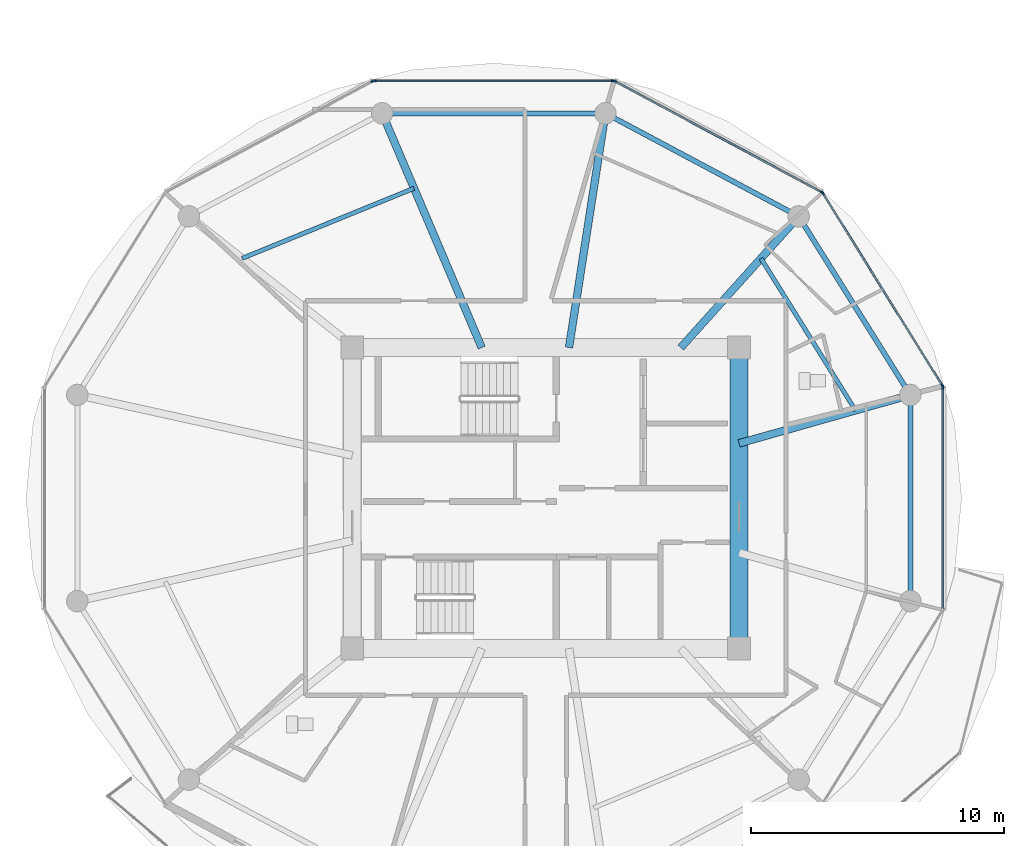
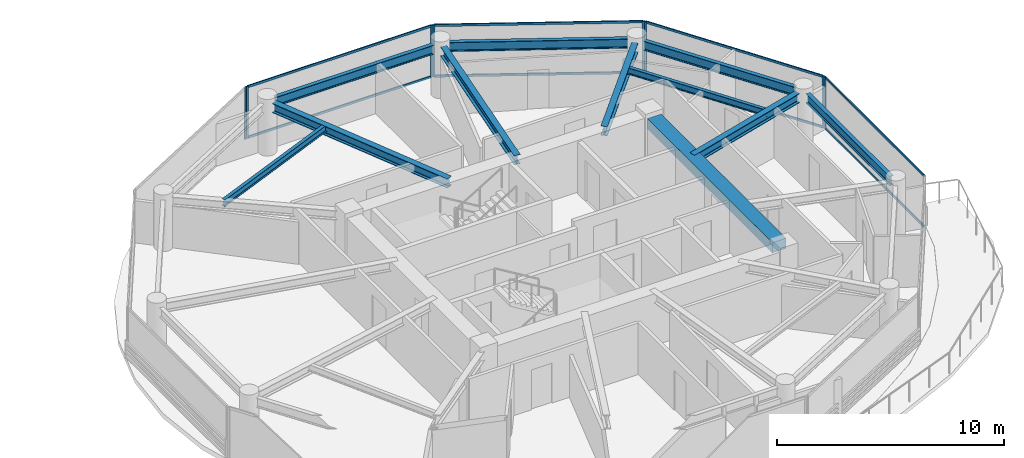
# One storey, part 11 of 25: 16 members, 11 beams, 5 elements without a shape of their own.
"""IFC4 building model written with IfcOpenShell, lengths in metres."""

from ifc_helpers import new_model, si_unit, direction, frame, origin, origin_2d, place, context, subcontext, project, spatial, rectangle, i_section, extrude, source, transform, mapped, material, layer, layer_set, material_profile, profile_set, type_object, type_shapes, element, aggregate, save


model = new_model("IFC4")

# Units and contexts
model_context = context("Model", 3, precision=1e-05, world=origin(), true_north=direction((0.0, 1.0)))
body_context = subcontext(model_context, "Body", "Model", "MODEL_VIEW")
ifc_project = project(units=[si_unit("LENGTHUNIT", "METRE"), si_unit("AREAUNIT", "SQUARE_METRE"), si_unit("VOLUMEUNIT", "CUBIC_METRE"), si_unit("PLANEANGLEUNIT", "RADIAN"), si_unit("MASSUNIT", "GRAM", prefix="KILO")], contexts=[model_context])

# Site, building, storey
site_placement = place(None, origin())
site = spatial("IfcSite", under=ifc_project, at=site_placement, CompositionType="ELEMENT")
building_placement = place(site_placement, origin())
building = spatial("IfcBuilding", under=site, at=building_placement, Name="Norrkilde Senior Care Towers", CompositionType="ELEMENT")
storey_placement = place(building_placement, frame((0.0, 0.0, 84.050048828125)))
storey = spatial("IfcBuildingStorey", under=building, at=storey_placement, Name="L25", CompositionType="ELEMENT", Elevation=84.050048828125)

# Beams
ifc_material_1 = material(Name="Concrete C60/75", Category="concrete")
ifc_material_profile_1 = material_profile(ifc_material_1, rectangle(XDim=0.699951171875, YDim=0.550048828125, at=origin_2d()), Name="RC BM 700x550")
ifc_profile_set_1 = profile_set([ifc_material_profile_1], Name="Concrete C60/75")
beam_type_1 = type_object("IfcBeamType", Name="Core Portal Coupling Beam 700x550", PredefinedType="USERDEFINED", material=ifc_profile_set_1)
shared_shape_1 = source(origin(), body_context, "Body", "SweptSolid", [
    extrude(rectangle(XDim=0.699951171875, YDim=0.550048828125, at=origin_2d()), origin(), (0.0, 0.0, 1.0), 11.0400390625),
])
type_shapes(beam_type_1, [shared_shape_1])
beam_1_placement = place(storey_placement, frame((35.64990234375, -5.52001953125, 2.514892578125), z_axis=(0.0, 1.0, 0.0), x_axis=(-1.0, 0.0, 0.0)))
element("IfcBeam", 1, at=beam_1_placement, inside=storey, type_object=beam_type_1, Name="L25 Core E E Coupling Girder", ObjectType="GIRDER", PredefinedType="USERDEFINED", context=body_context, shape_type="MappedRepresentation", body=[
    mapped(shared_shape_1, transform((0.0, 0.0, 0.0), x_axis=(1.0, 0.0, 0.0), y_axis=(0.0, 1.0, 0.0), z_axis=(0.0, 0.0, 1.0), scale=1.0)),
])
ifc_material_2 = material(Name="Steel S355", Category="steel")
ifc_material_profile_2 = material_profile(ifc_material_2, i_section(OverallWidth=0.199951171875, OverallDepth=0.5, WebThickness=0.01025390625, FlangeThickness=0.01611328125, FilletRadius=0.02099609375, at=origin_2d()), Name="IPE 500")
ifc_profile_set_2 = profile_set([ifc_material_profile_2], Name="Steel S355")
beam_type_2 = type_object("IfcBeamType", Name="Perimeter Ring Spandrel Z2 IPE500", PredefinedType="SPANDREL", material=ifc_profile_set_2)
shared_shape_2 = source(origin(), body_context, "Body", "SweptSolid", [
    extrude(i_section(OverallWidth=0.199951171875, OverallDepth=0.5, WebThickness=0.01025390625, FlangeThickness=0.01611328125, FilletRadius=0.02099609375, at=origin_2d()), origin(), (0.0, 0.0, 1.0), 7.892333984375),
])
beam_2_placement = place(storey_placement, frame((37.66650390625, 11.318115234375, 2.5400390625), z_axis=(-0.882350372282, 0.47059305194, 0.0), x_axis=(-0.47059305194, -0.882350372282, 0.0)))
element("IfcBeam", 2, at=beam_2_placement, inside=storey, type_object=beam_type_2, Name="L25 Drum E Perimeter Spandrel 02", PredefinedType="SPANDREL", context=body_context, shape_type="MappedRepresentation", body=[
    mapped(shared_shape_2, transform((0.0, 0.0, 0.0), x_axis=(1.0, 0.0, 0.0), y_axis=(0.0, 1.0, 0.0), z_axis=(0.0, 0.0, 1.0), scale=1.0)),
])
shared_shape_3 = source(origin(), body_context, "Body", "SweptSolid", [
    extrude(i_section(OverallWidth=0.199951171875, OverallDepth=0.5, WebThickness=0.01025390625, FlangeThickness=0.01611328125, FilletRadius=0.02099609375, at=origin_2d()), origin(), (0.0, 0.0, 1.0), 8.0556640625),
])
beam_3_placement = place(storey_placement, frame((29.977783203125, 15.21337890625, 2.5400390625), z_axis=(-1.0, 0.0, 0.0), x_axis=(0.0, -1.0, 0.0)))
element("IfcBeam", 3, at=beam_3_placement, inside=storey, type_object=beam_type_2, Name="L25 Drum E Perimeter Spandrel 03", PredefinedType="SPANDREL", context=body_context, shape_type="MappedRepresentation", body=[
    mapped(shared_shape_3, transform((0.0, 0.0, 0.0), x_axis=(1.0, 0.0, 0.0), y_axis=(0.0, 1.0, 0.0), z_axis=(0.0, 0.0, 1.0), scale=1.0)),
])
ifc_material_profile_3 = material_profile(ifc_material_2, i_section(OverallWidth=0.300048828125, OverallDepth=0.5, WebThickness=0.014404296875, FlangeThickness=0.028076171875, FilletRadius=0.027099609375, at=origin_2d()), Name="HEB 500")
ifc_profile_set_3 = profile_set([ifc_material_profile_3], Name="Steel S355")
beam_type_3 = type_object("IfcBeamType", Name="Radial Floor Beam Z2 HEB500", PredefinedType="BEAM", material=ifc_profile_set_3)
shared_shape_4 = source(origin(), body_context, "Body", "SweptSolid", [
    extrude(i_section(OverallWidth=0.300048828125, OverallDepth=0.5, WebThickness=0.014404296875, FlangeThickness=0.028076171875, FilletRadius=0.027099609375, at=origin_2d()), origin(), (0.0, 0.0, 1.0), 9.679443359375),
])
beam_4_placement = place(storey_placement, frame((25.472412109375, 5.949951171875, 2.5400390625), z_axis=(-0.390998033479, 0.920391513333, 0.0), x_axis=(-0.920391513333, -0.390998033479, 0.0)))
element("IfcBeam", 4, at=beam_4_placement, inside=storey, type_object=beam_type_3, Name="L25 Drum E Radial Floor Beam 04", PredefinedType="BEAM", context=body_context, shape_type="MappedRepresentation", body=[
    mapped(shared_shape_4, transform((0.0, 0.0, 0.0), x_axis=(1.0, 0.0, 0.0), y_axis=(0.0, 1.0, 0.0), z_axis=(0.0, 0.0, 1.0), scale=1.0)),
])
shared_shape_5 = source(origin(), body_context, "Body", "SweptSolid", [
    extrude(i_section(OverallWidth=0.300048828125, OverallDepth=0.5, WebThickness=0.014404296875, FlangeThickness=0.028076171875, FilletRadius=0.027099609375, at=origin_2d()), origin(), (0.0, 0.0, 1.0), 8.989501953125),
])
beam_5_placement = place(storey_placement, frame((28.924072265625, 5.949951171875, 2.5400390625), z_axis=(0.153471298636, 0.988153105796, 0.0), x_axis=(-0.988153105796, 0.153471298636, 0.0)))
element("IfcBeam", 5, at=beam_5_placement, inside=storey, type_object=beam_type_3, Name="L25 Drum E Radial Floor Beam 03", PredefinedType="BEAM", context=body_context, shape_type="MappedRepresentation", body=[
    mapped(shared_shape_5, transform((0.0, 0.0, 0.0), x_axis=(1.0, 0.0, 0.0), y_axis=(0.0, 1.0, 0.0), z_axis=(0.0, 0.0, 1.0), scale=1.0)),
])
shared_shape_6 = source(origin(), body_context, "Body", "SweptSolid", [
    extrude(i_section(OverallWidth=0.199951171875, OverallDepth=0.5, WebThickness=0.01025390625, FlangeThickness=0.01611328125, FilletRadius=0.02099609375, at=origin_2d()), origin(), (0.0, 0.0, 1.0), 7.556396484375),
])
beam_6_placement = place(storey_placement, frame((42.215087890625, 4.40283203125, 2.5400390625), z_axis=(-0.530004748437, 0.847994673706, 0.0), x_axis=(-0.847994673706, -0.530004748437, 0.0)))
element("IfcBeam", 6, at=beam_6_placement, inside=storey, type_object=beam_type_2, Name="L25 Drum E Perimeter Spandrel 01", PredefinedType="SPANDREL", context=body_context, shape_type="MappedRepresentation", body=[
    mapped(shared_shape_6, transform((0.0, 0.0, 0.0), x_axis=(1.0, 0.0, 0.0), y_axis=(0.0, 1.0, 0.0), z_axis=(0.0, 0.0, 1.0), scale=1.0)),
])
shared_shape_7 = source(origin(), body_context, "Body", "SweptSolid", [
    extrude(i_section(OverallWidth=0.300048828125, OverallDepth=0.5, WebThickness=0.014404296875, FlangeThickness=0.028076171875, FilletRadius=0.027099609375, at=origin_2d()), origin(), (0.0, 0.0, 1.0), 6.587890625),
])
beam_7_placement = place(storey_placement, frame((33.345947265625, 5.949951171875, 2.5400390625), z_axis=(0.668315438605, 0.743877997068, 0.0), x_axis=(-0.743877997068, 0.668315438605, 0.0)))
element("IfcBeam", 7, at=beam_7_placement, inside=storey, type_object=beam_type_3, Name="L25 Drum E Radial Floor Beam 02", PredefinedType="BEAM", context=body_context, shape_type="MappedRepresentation", body=[
    mapped(shared_shape_7, transform((0.0, 0.0, 0.0), x_axis=(1.0, 0.0, 0.0), y_axis=(0.0, 1.0, 0.0), z_axis=(0.0, 0.0, 1.0), scale=1.0)),
])
shared_shape_8 = source(origin(), body_context, "Body", "SweptSolid", [
    extrude(i_section(OverallWidth=0.199951171875, OverallDepth=0.5, WebThickness=0.01025390625, FlangeThickness=0.01611328125, FilletRadius=0.02099609375, at=origin_2d()), origin(), (0.0, 0.0, 1.0), 7.3828125),
])
type_shapes(beam_type_2, [shared_shape_2, shared_shape_3, shared_shape_6, shared_shape_8])
beam_8_placement = place(storey_placement, frame((42.4189453125, -3.69140625, 2.5400390625), z_axis=(0.0, 1.0, 0.0), x_axis=(-1.0, 0.0, 0.0)))
element("IfcBeam", 8, at=beam_8_placement, inside=storey, type_object=beam_type_2, Name="L25 Drum E Perimeter Spandrel 12", PredefinedType="SPANDREL", context=body_context, shape_type="MappedRepresentation", body=[
    mapped(shared_shape_8, transform((0.0, 0.0, 0.0), x_axis=(1.0, 0.0, 0.0), y_axis=(0.0, 1.0, 0.0), z_axis=(0.0, 0.0, 1.0), scale=1.0)),
])
shared_shape_9 = source(origin(), body_context, "Body", "SweptSolid", [
    extrude(i_section(OverallWidth=0.300048828125, OverallDepth=0.5, WebThickness=0.014404296875, FlangeThickness=0.028076171875, FilletRadius=0.027099609375, at=origin_2d()), origin(), (0.0, 0.0, 1.0), 6.6494140625),
])
type_shapes(beam_type_3, [shared_shape_4, shared_shape_5, shared_shape_7, shared_shape_9])
beam_9_placement = place(storey_placement, frame((35.64990234375, 2.162841796875, 2.5400390625), z_axis=(0.962289138357, 0.27202870106, 0.0), x_axis=(-0.27202870106, 0.962289138357, 0.0)))
element("IfcBeam", 9, at=beam_9_placement, inside=storey, type_object=beam_type_3, Name="L25 Drum E Radial Floor Beam 01", PredefinedType="BEAM", context=body_context, shape_type="MappedRepresentation", body=[
    mapped(shared_shape_9, transform((0.0, 0.0, 0.0), x_axis=(1.0, 0.0, 0.0), y_axis=(0.0, 1.0, 0.0), z_axis=(0.0, 0.0, 1.0), scale=1.0)),
])
ifc_material_profile_4 = material_profile(ifc_material_2, i_section(OverallWidth=0.169921875, OverallDepth=0.360107421875, WebThickness=0.008056640625, FlangeThickness=0.0126953125, FilletRadius=0.01806640625, at=origin_2d()), Name="IPE 360")
ifc_profile_set_4 = profile_set([ifc_material_profile_4], Name="Steel S355")
beam_type_4 = type_object("IfcBeamType", Name="Secondary Floor Joist IPE360", PredefinedType="JOIST", material=ifc_profile_set_4)
shared_shape_10 = source(origin(), body_context, "Body", "SweptSolid", [
    extrude(i_section(OverallWidth=0.169921875, OverallDepth=0.360107421875, WebThickness=0.008056640625, FlangeThickness=0.0126953125, FilletRadius=0.01806640625, at=origin_2d()), origin(), (0.0, 0.0, 1.0), 7.343505859375),
])
beam_10_placement = place(storey_placement, frame((22.79638671875, 12.2490234375, 2.60986328125), z_axis=(-0.926021784767, -0.377470070519, 0.0), x_axis=(0.377470070519, -0.926021784767, 0.0)))
element("IfcBeam", 10, at=beam_10_placement, inside=storey, type_object=beam_type_4, Name="L25 Drum E Secondary Floor Joist 2", PredefinedType="JOIST", context=body_context, shape_type="MappedRepresentation", body=[
    mapped(shared_shape_10, transform((0.0, 0.0, 0.0), x_axis=(1.0, 0.0, 0.0), y_axis=(0.0, 1.0, 0.0), z_axis=(0.0, 0.0, 1.0), scale=1.0)),
])
shared_shape_11 = source(origin(), body_context, "Body", "SweptSolid", [
    extrude(i_section(OverallWidth=0.169921875, OverallDepth=0.360107421875, WebThickness=0.008056640625, FlangeThickness=0.0126953125, FilletRadius=0.01806640625, at=origin_2d()), origin(), (0.0, 0.0, 1.0), 7.080078125),
])
type_shapes(beam_type_4, [shared_shape_10, shared_shape_11])
beam_11_placement = place(storey_placement, frame((40.2529296875, 3.464111328125, 2.60986328125), z_axis=(-0.527961009189, 0.849268610497, 0.0), x_axis=(-0.849268610497, -0.527961009189, 0.0)))
element("IfcBeam", 11, at=beam_11_placement, inside=storey, type_object=beam_type_4, Name="L25 Drum E Secondary Floor Joist 1", PredefinedType="JOIST", context=body_context, shape_type="MappedRepresentation", body=[
    mapped(shared_shape_11, transform((0.0, 0.0, 0.0), x_axis=(1.0, 0.0, 0.0), y_axis=(0.0, 1.0, 0.0), z_axis=(0.0, 0.0, 1.0), scale=1.0)),
])

# Curtain wall, members
ifc_material_3 = material(Name="Triple Low-E Insulated Glazing", Category="glass")
ifc_layer = layer(ifc_material_3, 0.195068359375)
ifc_layer_set = layer_set([ifc_layer], Name="Triple Low-E Insulated Glazing")
curtain_wall_type = type_object("IfcCurtainWallType", Name="CW3 Zone 2 Assisted Living Curtain Wall", PredefinedType="NOTDEFINED", material=ifc_layer_set)
curtain_wall_1_placement = place(storey_placement, origin())
curtain_wall_1 = element("IfcCurtainWall", 12, at=curtain_wall_1_placement, inside=storey, type_object=curtain_wall_type, Name="L25 Drum E Curtain Wall 00", PredefinedType="NOTDEFINED")
ifc_material_4 = material(Name="Anodised Aluminium", Category="aluminium")
ifc_material_profile_5 = material_profile(ifc_material_4, rectangle(XDim=0.06494140625, YDim=0.159912109375, at=origin_2d()), Name="ALU MULL 65x160")
ifc_profile_set_5 = profile_set([ifc_material_profile_5], Name="Anodised Aluminium")
member_type_1 = type_object("IfcMemberType", Name="Curtain Wall Mullion Z1-Z2 65x160", PredefinedType="MULLION", material=ifc_profile_set_5)
shared_shape_12 = source(origin(), body_context, "Body", "SweptSolid", [
    extrude(rectangle(XDim=0.06494140625, YDim=0.159912109375, at=origin_2d()), origin(), (0.0, 0.0, 1.0), 2.7900390625),
])
type_shapes(member_type_1, [shared_shape_12])
member_1_placement = place(storey_placement, frame((38.9638671875, 12.0498046875, 0.0), z_axis=(0.0, 0.0, 1.0), x_axis=(0.849410171862, 0.527733228002, 0.0)))
member_1 = element("IfcMember", 13, at=member_1_placement, type_object=member_type_1, Name="CW-3 mullion 1", PredefinedType="MULLION", context=body_context, shape_type="MappedRepresentation", body=[
    mapped(shared_shape_12, transform((0.0, 0.0, 0.0), x_axis=(1.0, 0.0, 0.0), y_axis=(0.0, 1.0, 0.0), z_axis=(0.0, 0.0, 1.0), scale=1.0)),
])
member_2_placement = place(storey_placement, frame((43.6865234375, 4.4482421875, 0.0), z_axis=(0.0, 0.0, 1.0), x_axis=(0.849410171862, 0.527733228002, 0.0)))
member_2 = element("IfcMember", 14, at=member_2_placement, type_object=member_type_1, Name="CW-3 mullion 2", PredefinedType="MULLION", context=body_context, shape_type="MappedRepresentation", body=[
    mapped(shared_shape_12, transform((0.0, 0.0, 0.0), x_axis=(1.0, 0.0, 0.0), y_axis=(0.0, 1.0, 0.0), z_axis=(0.0, 0.0, 1.0), scale=1.0)),
])

curtain_wall_2_placement = place(storey_placement, origin())
curtain_wall_2 = element("IfcCurtainWall", 15, at=curtain_wall_2_placement, inside=storey, type_object=curtain_wall_type, Name="L25 Drum E Curtain Wall 01", PredefinedType="NOTDEFINED")
member_3_placement = place(storey_placement, frame((30.73583984375, 16.482666015625, 0.0), z_axis=(0.0, 0.0, 1.0), x_axis=(0.472769402511, 0.881186184668, 0.0)))
member_3 = element("IfcMember", 16, at=member_3_placement, type_object=member_type_1, Name="CW-3 mullion 1", PredefinedType="MULLION", context=body_context, shape_type="MappedRepresentation", body=[
    mapped(shared_shape_12, transform((0.0, 0.0, 0.0), x_axis=(1.0, 0.0, 0.0), y_axis=(0.0, 1.0, 0.0), z_axis=(0.0, 0.0, 1.0), scale=1.0)),
])
member_4_placement = place(storey_placement, frame((38.91796875, 12.0927734375, 0.0), z_axis=(0.0, 0.0, 1.0), x_axis=(0.472769402511, 0.881186184668, 0.0)))
member_4 = element("IfcMember", 17, at=member_4_placement, type_object=member_type_1, Name="CW-3 mullion 2", PredefinedType="MULLION", context=body_context, shape_type="MappedRepresentation", body=[
    mapped(shared_shape_12, transform((0.0, 0.0, 0.0), x_axis=(1.0, 0.0, 0.0), y_axis=(0.0, 1.0, 0.0), z_axis=(0.0, 0.0, 1.0), scale=1.0)),
])

curtain_wall_3_placement = place(storey_placement, origin())
curtain_wall_3 = element("IfcCurtainWall", 18, at=curtain_wall_3_placement, inside=storey, type_object=curtain_wall_type, Name="L25 Drum E Curtain Wall 02", PredefinedType="NOTDEFINED")
member_5_placement = place(storey_placement, frame((21.225341796875, 16.498046875, 0.0), z_axis=(0.0, 0.0, 1.0), x_axis=(0.0, 1.0, 0.0)))
member_5 = element("IfcMember", 19, at=member_5_placement, type_object=member_type_1, Name="CW-3 mullion 1", PredefinedType="MULLION", context=body_context, shape_type="MappedRepresentation", body=[
    mapped(shared_shape_12, transform((0.0, 0.0, 0.0), x_axis=(1.0, 0.0, 0.0), y_axis=(0.0, 1.0, 0.0), z_axis=(0.0, 0.0, 1.0), scale=1.0)),
])
member_6_placement = place(storey_placement, frame((30.674560546875, 16.498046875, 0.0), z_axis=(0.0, 0.0, 1.0), x_axis=(0.0, 1.0, 0.0)))
member_6 = element("IfcMember", 20, at=member_6_placement, type_object=member_type_1, Name="CW-3 mullion 2", PredefinedType="MULLION", context=body_context, shape_type="MappedRepresentation", body=[
    mapped(shared_shape_12, transform((0.0, 0.0, 0.0), x_axis=(1.0, 0.0, 0.0), y_axis=(0.0, 1.0, 0.0), z_axis=(0.0, 0.0, 1.0), scale=1.0)),
])

# Curtain wall, member
curtain_wall_4_placement = place(storey_placement, origin())
curtain_wall_4 = element("IfcCurtainWall", 21, at=curtain_wall_4_placement, inside=storey, type_object=curtain_wall_type, Name="L25 Drum E Curtain Wall 03", PredefinedType="NOTDEFINED")
member_7_placement = place(storey_placement, frame((21.164306640625, 16.482666015625, 0.0), z_axis=(0.0, 0.0, 1.0), x_axis=(-0.472769402511, 0.881186184668, 0.0)))
member_7 = element("IfcMember", 22, at=member_7_placement, type_object=member_type_1, Name="CW-3 mullion 2", PredefinedType="MULLION", context=body_context, shape_type="MappedRepresentation", body=[
    mapped(shared_shape_12, transform((0.0, 0.0, 0.0), x_axis=(1.0, 0.0, 0.0), y_axis=(0.0, 1.0, 0.0), z_axis=(0.0, 0.0, 1.0), scale=1.0)),
])
aggregate(curtain_wall_4, [member_7])

curtain_wall_5_placement = place(storey_placement, origin())
curtain_wall_5 = element("IfcCurtainWall", 23, at=curtain_wall_5_placement, inside=storey, type_object=curtain_wall_type, Name="L25 Drum E Curtain Wall 11", PredefinedType="NOTDEFINED")
member_8_placement = place(storey_placement, frame((43.70361328125, 4.38818359375, 0.0), z_axis=(0.0, 0.0, 1.0), x_axis=(1.0, 0.0, 0.0)))
member_8 = element("IfcMember", 24, at=member_8_placement, type_object=member_type_1, Name="CW-3 mullion 1", PredefinedType="MULLION", context=body_context, shape_type="MappedRepresentation", body=[
    mapped(shared_shape_12, transform((0.0, 0.0, 0.0), x_axis=(1.0, 0.0, 0.0), y_axis=(0.0, 1.0, 0.0), z_axis=(0.0, 0.0, 1.0), scale=1.0)),
])

# Member
ifc_material_profile_6 = material_profile(ifc_material_4, rectangle(XDim=0.06005859375, YDim=0.1201171875, at=origin_2d()), Name="ALU TRAN 60x120")
ifc_profile_set_6 = profile_set([ifc_material_profile_6], Name="Anodised Aluminium")
member_type_2 = type_object("IfcMemberType", Name="Curtain Wall Transom Typical 60x120", PredefinedType="USERDEFINED", material=ifc_profile_set_6)
shared_shape_13 = source(origin(), body_context, "Body", "SweptSolid", [
    extrude(rectangle(XDim=0.06005859375, YDim=0.1201171875, at=origin_2d()), origin(), (0.0, 0.0, 1.0), 8.88427734375),
])
member_9_placement = place(storey_placement, frame((38.98095703125, 12.022216796875, 0.030029296875), z_axis=(0.527729466743, -0.849412508697, 0.0), x_axis=(0.849412508697, 0.527729466743, 0.0)))
member_9 = element("IfcMember", 25, at=member_9_placement, type_object=member_type_2, Name="CW-3 transom 1.1", ObjectType="TRANSOM", PredefinedType="USERDEFINED", context=body_context, shape_type="MappedRepresentation", body=[
    mapped(shared_shape_13, transform((0.0, 0.0, 0.0), x_axis=(1.0, 0.0, 0.0), y_axis=(0.0, 1.0, 0.0), z_axis=(0.0, 0.0, 1.0), scale=1.0)),
])

member_10_placement = place(storey_placement, frame((38.98095703125, 12.022216796875, 2.760009765625), z_axis=(0.527729466743, -0.849412508697, 0.0), x_axis=(0.849412508697, 0.527729466743, 0.0)))
member_10 = element("IfcMember", 26, at=member_10_placement, type_object=member_type_2, Name="CW-3 transom 1.2", ObjectType="TRANSOM", PredefinedType="USERDEFINED", context=body_context, shape_type="MappedRepresentation", body=[
    mapped(shared_shape_13, transform((0.0, 0.0, 0.0), x_axis=(1.0, 0.0, 0.0), y_axis=(0.0, 1.0, 0.0), z_axis=(0.0, 0.0, 1.0), scale=1.0)),
])

aggregate(curtain_wall_1, [member_1, member_2, member_9, member_10])

shared_shape_14 = source(origin(), body_context, "Body", "SweptSolid", [
    extrude(rectangle(XDim=0.06005859375, YDim=0.1201171875, at=origin_2d()), origin(), (0.0, 0.0, 1.0), 9.220458984375),
])
member_11_placement = place(storey_placement, frame((30.764404296875, 16.46728515625, 0.030029296875), z_axis=(0.881188517866, -0.472765053681, 0.0), x_axis=(0.472765053681, 0.881188517866, 0.0)))
member_11 = element("IfcMember", 27, at=member_11_placement, type_object=member_type_2, Name="CW-3 transom 1.1", ObjectType="TRANSOM", PredefinedType="USERDEFINED", context=body_context, shape_type="MappedRepresentation", body=[
    mapped(shared_shape_14, transform((0.0, 0.0, 0.0), x_axis=(1.0, 0.0, 0.0), y_axis=(0.0, 1.0, 0.0), z_axis=(0.0, 0.0, 1.0), scale=1.0)),
])

member_12_placement = place(storey_placement, frame((30.764404296875, 16.46728515625, 2.760009765625), z_axis=(0.881188517866, -0.472765053681, 0.0), x_axis=(0.472765053681, 0.881188517866, 0.0)))
member_12 = element("IfcMember", 28, at=member_12_placement, type_object=member_type_2, Name="CW-3 transom 1.2", ObjectType="TRANSOM", PredefinedType="USERDEFINED", context=body_context, shape_type="MappedRepresentation", body=[
    mapped(shared_shape_14, transform((0.0, 0.0, 0.0), x_axis=(1.0, 0.0, 0.0), y_axis=(0.0, 1.0, 0.0), z_axis=(0.0, 0.0, 1.0), scale=1.0)),
])

aggregate(curtain_wall_2, [member_3, member_4, member_11, member_12])

shared_shape_15 = source(origin(), body_context, "Body", "SweptSolid", [
    extrude(rectangle(XDim=0.06005859375, YDim=0.1201171875, at=origin_2d()), origin(), (0.0, 0.0, 1.0), 9.38427734375),
])
member_13_placement = place(storey_placement, frame((21.2578125, 16.498046875, 0.030029296875), z_axis=(1.0, 0.0, 0.0), x_axis=(0.0, 1.0, 0.0)))
member_13 = element("IfcMember", 29, at=member_13_placement, type_object=member_type_2, Name="CW-3 transom 1.1", ObjectType="TRANSOM", PredefinedType="USERDEFINED", context=body_context, shape_type="MappedRepresentation", body=[
    mapped(shared_shape_15, transform((0.0, 0.0, 0.0), x_axis=(1.0, 0.0, 0.0), y_axis=(0.0, 1.0, 0.0), z_axis=(0.0, 0.0, 1.0), scale=1.0)),
])

member_14_placement = place(storey_placement, frame((21.2578125, 16.498046875, 2.760009765625), z_axis=(1.0, 0.0, 0.0), x_axis=(0.0, 1.0, 0.0)))
member_14 = element("IfcMember", 30, at=member_14_placement, type_object=member_type_2, Name="CW-3 transom 1.2", ObjectType="TRANSOM", PredefinedType="USERDEFINED", context=body_context, shape_type="MappedRepresentation", body=[
    mapped(shared_shape_15, transform((0.0, 0.0, 0.0), x_axis=(1.0, 0.0, 0.0), y_axis=(0.0, 1.0, 0.0), z_axis=(0.0, 0.0, 1.0), scale=1.0)),
])

aggregate(curtain_wall_3, [member_5, member_6, member_13, member_14])

shared_shape_16 = source(origin(), body_context, "Body", "SweptSolid", [
    extrude(rectangle(XDim=0.06005859375, YDim=0.1201171875, at=origin_2d()), origin(), (0.0, 0.0, 1.0), 8.71142578125),
])
type_shapes(member_type_2, [shared_shape_13, shared_shape_14, shared_shape_15, shared_shape_16])
member_15_placement = place(storey_placement, frame((43.70361328125, 4.355712890625, 0.030029296875), z_axis=(0.0, -1.0, 0.0), x_axis=(1.0, 0.0, 0.0)))
member_15 = element("IfcMember", 31, at=member_15_placement, type_object=member_type_2, Name="CW-3 transom 1.1", ObjectType="TRANSOM", PredefinedType="USERDEFINED", context=body_context, shape_type="MappedRepresentation", body=[
    mapped(shared_shape_16, transform((0.0, 0.0, 0.0), x_axis=(1.0, 0.0, 0.0), y_axis=(0.0, 1.0, 0.0), z_axis=(0.0, 0.0, 1.0), scale=1.0)),
])

member_16_placement = place(storey_placement, frame((43.70361328125, 4.355712890625, 2.760009765625), z_axis=(0.0, -1.0, 0.0), x_axis=(1.0, 0.0, 0.0)))
member_16 = element("IfcMember", 32, at=member_16_placement, type_object=member_type_2, Name="CW-3 transom 1.2", ObjectType="TRANSOM", PredefinedType="USERDEFINED", context=body_context, shape_type="MappedRepresentation", body=[
    mapped(shared_shape_16, transform((0.0, 0.0, 0.0), x_axis=(1.0, 0.0, 0.0), y_axis=(0.0, 1.0, 0.0), z_axis=(0.0, 0.0, 1.0), scale=1.0)),
])

aggregate(curtain_wall_5, [member_8, member_15, member_16])

save(model, "model.ifc")
